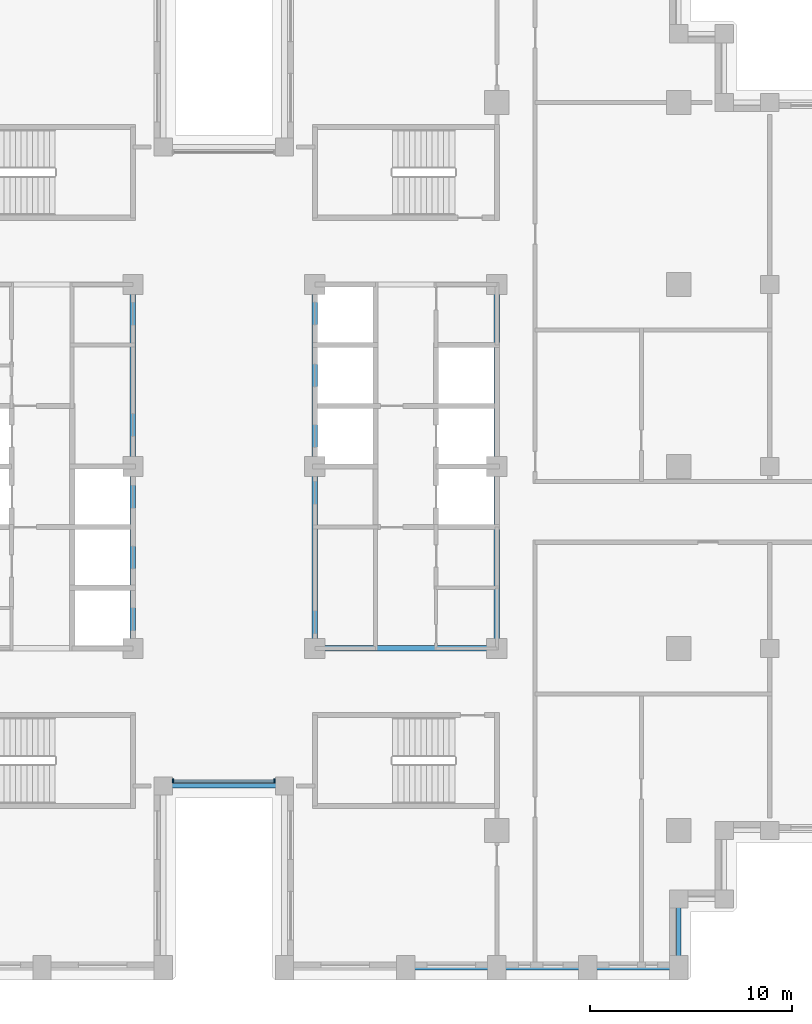
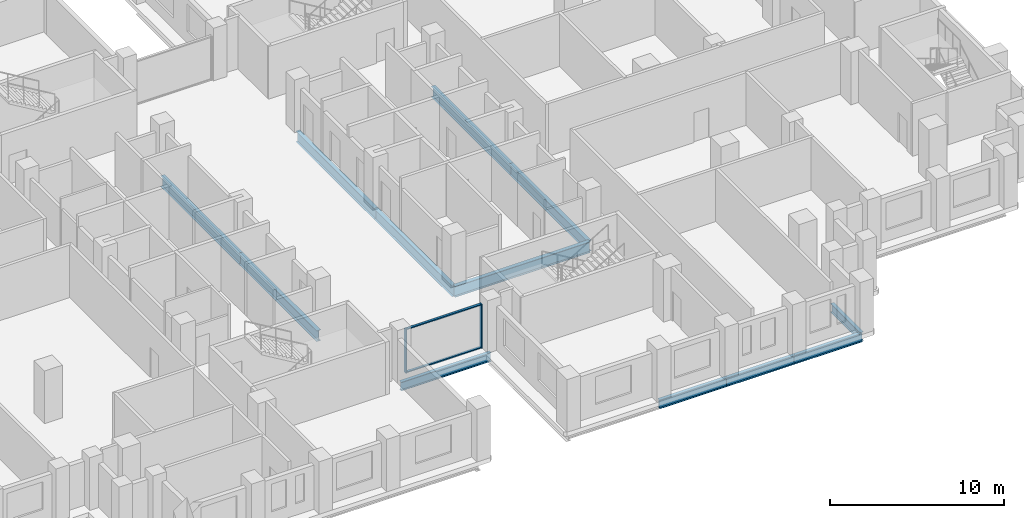
# One storey, part 2 of 16: 12 beams, 4 members, 1 element without a shape of its own.
"""IFC4 building model written with IfcOpenShell, lengths in metres."""

from ifc_helpers import new_model, si_unit, direction, frame, origin, origin_2d, place, context, subcontext, project, spatial, rectangle, i_section, extrude, material, layer, layer_set, material_profile, profile_set, type_object, element, aggregate, save


model = new_model("IFC4")

# Units and contexts
model_context = context("Model", 3, precision=1e-05, world=origin(), true_north=direction((0.0, 1.0)))
body_context = subcontext(model_context, "Body", "Model", "MODEL_VIEW")
ifc_project = project(units=[si_unit("LENGTHUNIT", "METRE"), si_unit("AREAUNIT", "SQUARE_METRE"), si_unit("VOLUMEUNIT", "CUBIC_METRE"), si_unit("PLANEANGLEUNIT", "RADIAN"), si_unit("MASSUNIT", "GRAM", prefix="KILO")], contexts=[model_context])

# Site, building, storey
site_placement = place(None, origin())
site = spatial("IfcSite", under=ifc_project, at=site_placement, CompositionType="ELEMENT")
building_placement = place(site_placement, origin())
building = spatial("IfcBuilding", under=site, at=building_placement, Name="Corbelhall Arena Tower", CompositionType="ELEMENT")
storey_placement = place(building_placement, frame((0.0, 0.0, 76.0)))
storey = spatial("IfcBuildingStorey", under=building, at=storey_placement, Name="L11", CompositionType="ELEMENT", Elevation=76.0)

# Curtain wall, members
ifc_material_1 = material(Name="Aluminium black anodised", Category="aluminium")
ifc_layer = layer(ifc_material_1, 0.199951171875)
ifc_layer_set = layer_set([ifc_layer], Name="EV-CW1 Slot back wall")
curtain_wall_type = type_object("IfcCurtainWallType", Name="EV-CW1 Slot back wall", PredefinedType="NOTDEFINED", material=ifc_layer_set)
curtain_wall_placement = place(storey_placement, origin())
curtain_wall = element("IfcCurtainWall", 1, at=curtain_wall_placement, inside=storey, type_object=curtain_wall_type, Name="Curtain wall CW1", PredefinedType="NOTDEFINED")
ifc_material_profile_1 = material_profile(ifc_material_1, rectangle(XDim=0.199951171875, YDim=0.074951171875, at=origin_2d()))
ifc_profile_set_1 = profile_set([ifc_material_profile_1], Name="Aluminium black anodised")
member_type_1 = type_object("IfcMemberType", Name="EV-CW1-MULLION", PredefinedType="MULLION", material=ifc_profile_set_1)
member_1_placement = place(storey_placement, frame((-2.512451171875, -15.550048828125, 0.0), z_axis=(0.0, 0.0, 1.0), x_axis=(0.0, 1.0, 0.0)))
member_1 = element("IfcMember", 2, at=member_1_placement, type_object=member_type_1, Name="CW1 mullion 1", PredefinedType="MULLION", context=body_context, shape_type="SweptSolid", body=[
    extrude(rectangle(XDim=0.199951171875, YDim=0.074951171875, at=origin_2d()), origin(), (0.0, 0.0, 1.0), 3.10009765625),
])
member_2_placement = place(storey_placement, frame((2.512451171875, -15.550048828125, 0.0), z_axis=(0.0, 0.0, 1.0), x_axis=(0.0, 1.0, 0.0)))
member_2 = element("IfcMember", 3, at=member_2_placement, type_object=member_type_1, Name="CW1 mullion 2", PredefinedType="MULLION", context=body_context, shape_type="SweptSolid", body=[
    extrude(rectangle(XDim=0.199951171875, YDim=0.074951171875, at=origin_2d()), origin(), (0.0, 0.0, 1.0), 3.10009765625),
])
ifc_material_profile_2 = material_profile(ifc_material_1, rectangle(XDim=0.14990234375, YDim=0.074951171875, at=origin_2d()))
ifc_profile_set_2 = profile_set([ifc_material_profile_2], Name="Aluminium black anodised")
member_type_2 = type_object("IfcMemberType", Name="EV-CW1-TRANSOM", PredefinedType="USERDEFINED", material=ifc_profile_set_2)
member_3_placement = place(storey_placement, frame((-2.47509765625, -15.550048828125, 0.03759765625), z_axis=(1.0, 0.0, 0.0), x_axis=(0.0, 1.0, 0.0)))
member_3 = element("IfcMember", 4, at=member_3_placement, type_object=member_type_2, Name="CW1 transom 1.1", ObjectType="transom", PredefinedType="USERDEFINED", context=body_context, shape_type="SweptSolid", body=[
    extrude(rectangle(XDim=0.14990234375, YDim=0.074951171875, at=origin_2d()), origin(), (0.0, 0.0, 1.0), 4.9501953125),
])
member_4_placement = place(storey_placement, frame((-2.47509765625, -15.550048828125, 3.0625), z_axis=(1.0, 0.0, 0.0), x_axis=(0.0, 1.0, 0.0)))
member_4 = element("IfcMember", 5, at=member_4_placement, type_object=member_type_2, Name="CW1 transom 1.2", ObjectType="transom", PredefinedType="USERDEFINED", context=body_context, shape_type="SweptSolid", body=[
    extrude(rectangle(XDim=0.14990234375, YDim=0.074951171875, at=origin_2d()), origin(), (0.0, 0.0, 1.0), 4.9501953125),
])
aggregate(curtain_wall, [member_1, member_2, member_3, member_4])

# Beams
ifc_material_2 = material(Name="Steel ASTM A992 Gr50", Category="steel")
ifc_material_profile_3 = material_profile(ifc_material_2, i_section(OverallWidth=0.2666015625, OverallDepth=0.761962890625, WebThickness=0.014404296875, FlangeThickness=0.021484375, at=origin_2d()))
ifc_profile_set_3 = profile_set([ifc_material_profile_3], Name="Steel ASTM A992 Gr50")
beam_type_1 = type_object("IfcBeamType", Name="ST-BEAM-W30x116", PredefinedType="BEAM", material=ifc_profile_set_3)
for number, where, z_axis, x_axis, name in (
    (6, (-4.5, -9.0, -0.680908203125), (0.0, 1.0, 0.0), (-1.0, 0.0, 0.0), "Beam CEW 3"),
    (7, (-4.5, 0.0, -0.680908203125), (0.0, 1.0, 0.0), (-1.0, 0.0, 0.0), "Beam CEW 4"),
    (8, (4.5, -9.0, -0.680908203125), (0.0, 1.0, 0.0), (-1.0, 0.0, 0.0), "Beam CEE 7"),
    (9, (4.5, 0.0, -0.680908203125), (0.0, 1.0, 0.0), (-1.0, 0.0, 0.0), "Beam CEE 8"),
    (10, (13.5, -9.0, -0.680908203125), (0.0, 1.0, 0.0), (-1.0, 0.0, 0.0), "Beam CEE 9"),
    (11, (13.5, 0.0, -0.680908203125), (0.0, 1.0, 0.0), (-1.0, 0.0, 0.0), "Beam CEE 10"),
    (12, (4.5, -9.0, -0.680908203125), (1.0, 0.0, 0.0), (0.0, 1.0, 0.0), "Beam CEE 11"),
):
    element("IfcBeam", number, at=place(storey_placement, frame(where, z_axis=z_axis, x_axis=x_axis)), inside=storey, type_object=beam_type_1, Name=name, PredefinedType="BEAM", context=body_context, shape_type="SweptSolid", body=[
        extrude(i_section(OverallWidth=0.2666015625, OverallDepth=0.761962890625, WebThickness=0.014404296875, FlangeThickness=0.021484375, at=origin_2d()), origin(), (0.0, 0.0, 1.0), 9.0),
    ])
ifc_material_profile_4 = material_profile(ifc_material_2, i_section(OverallWidth=0.23046875, OverallDepth=0.6171875, WebThickness=0.01318359375, FlangeThickness=0.022216796875, at=origin_2d()))
ifc_profile_set_4 = profile_set([ifc_material_profile_4], Name="Steel ASTM A992 Gr50")
beam_type_2 = type_object("IfcBeamType", Name="ST-SPANDREL-W24x94", PredefinedType="SPANDREL", material=ifc_profile_set_4)
for number, where, z_axis, x_axis, name in (
    (13, (13.5, -24.800048828125, -0.608642578125), (-1.0, 0.0, 0.0), (0.0, -1.0, 0.0), "Beam SP 29"),
    (14, (18.0, -24.800048828125, -0.608642578125), (-1.0, 0.0, 0.0), (0.0, -1.0, 0.0), "Beam SP 30"),
    (15, (22.5, -24.800048828125, -0.608642578125), (-1.0, 0.0, 0.0), (0.0, -1.0, 0.0), "Beam SP 31"),
):
    element("IfcBeam", number, at=place(storey_placement, frame(where, z_axis=z_axis, x_axis=x_axis)), inside=storey, type_object=beam_type_2, Name=name, PredefinedType="SPANDREL", context=body_context, shape_type="SweptSolid", body=[
        extrude(i_section(OverallWidth=0.23046875, OverallDepth=0.6171875, WebThickness=0.01318359375, FlangeThickness=0.022216796875, at=origin_2d()), origin(), (0.0, 0.0, 1.0), 4.5),
    ])
beam_1_placement = place(storey_placement, frame((3.0, -15.800048828125, -0.608642578125), z_axis=(-1.0, 0.0, 0.0), x_axis=(0.0, -1.0, 0.0)))
element("IfcBeam", 16, at=beam_1_placement, inside=storey, type_object=beam_type_2, Name="Beam SP 41", PredefinedType="SPANDREL", context=body_context, shape_type="SweptSolid", body=[
    extrude(i_section(OverallWidth=0.23046875, OverallDepth=0.6171875, WebThickness=0.01318359375, FlangeThickness=0.022216796875, at=origin_2d()), origin(), (0.0, 0.0, 1.0), 6.0),
])
beam_2_placement = place(storey_placement, frame((22.5, -21.39990234375, -0.608642578125), z_axis=(0.0, -1.0, 0.0), x_axis=(1.0, 0.0, 0.0)))
element("IfcBeam", 17, at=beam_2_placement, inside=storey, type_object=beam_type_2, Name="Beam SP 49", PredefinedType="SPANDREL", context=body_context, shape_type="SweptSolid", body=[
    extrude(i_section(OverallWidth=0.23046875, OverallDepth=0.6171875, WebThickness=0.01318359375, FlangeThickness=0.022216796875, at=origin_2d()), origin(), (0.0, 0.0, 1.0), 3.400146484375),
])

save(model, "model.ifc")
